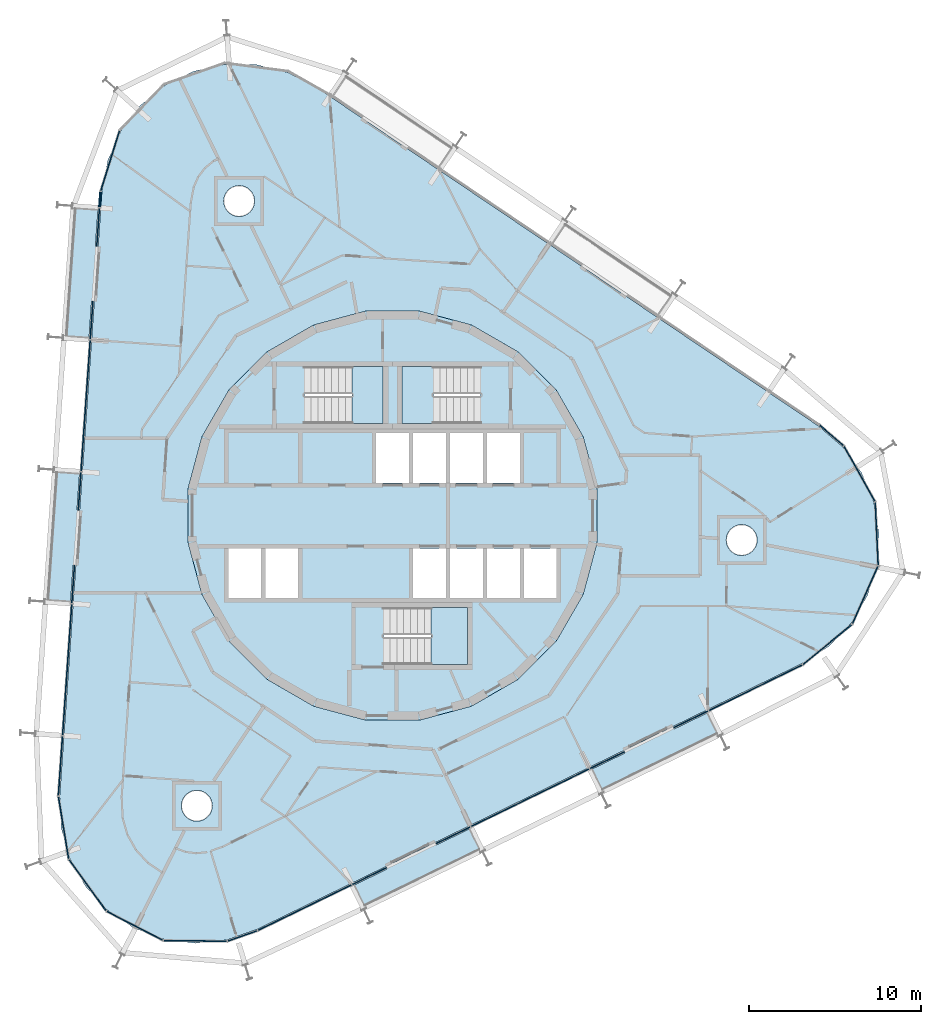
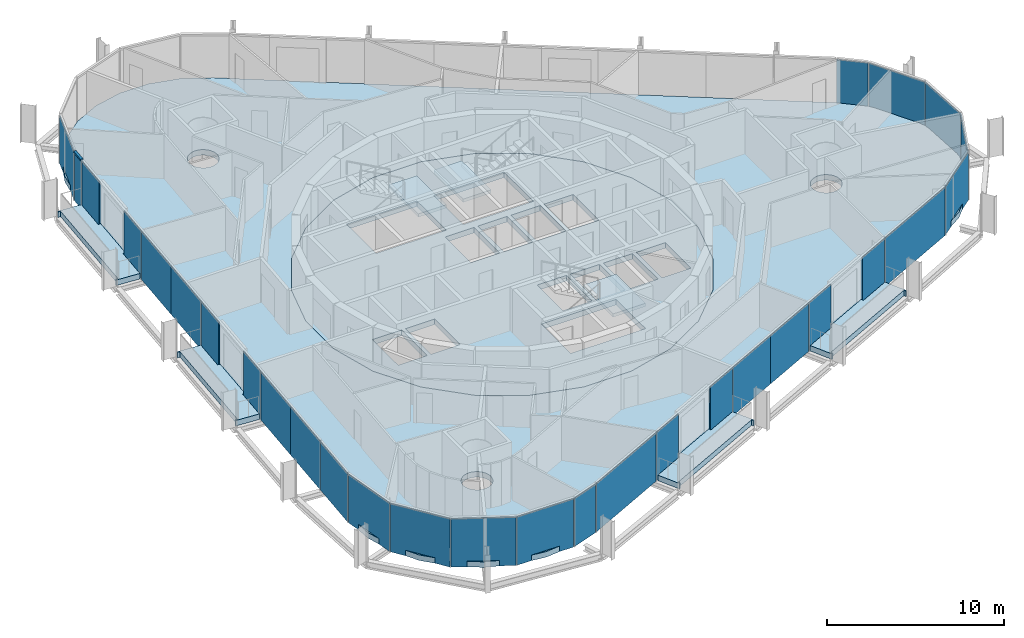
# One storey, part 10 of 17: 29 plates, 9 slabs, 1 member, 8 elements without a shape of their own.
"""IFC4 building model written with IfcOpenShell, lengths in metres."""

from ifc_helpers import new_model, si_unit, direction, frame, origin, origin_2d, place, context, subcontext, project, spatial, polyline, rectangle, outline, extrude, material, layer, layer_set, material_profile, profile_set, type_object, element, aggregate, save


model = new_model("IFC4")

# Units and contexts
model_context = context("Model", 3, precision=1e-05, world=origin(), true_north=direction((0.0, 1.0)))
body_context = subcontext(model_context, "Body", "Model", "MODEL_VIEW")
ifc_project = project(units=[si_unit("LENGTHUNIT", "METRE"), si_unit("AREAUNIT", "SQUARE_METRE"), si_unit("VOLUMEUNIT", "CUBIC_METRE"), si_unit("PLANEANGLEUNIT", "RADIAN"), si_unit("MASSUNIT", "GRAM", prefix="KILO")], contexts=[model_context])

# Site, building, storey
site_placement = place(None, origin())
site = spatial("IfcSite", under=ifc_project, at=site_placement, CompositionType="ELEMENT")
building_placement = place(site_placement, origin())
building = spatial("IfcBuilding", under=site, at=building_placement, Name="Spindle Arch Residences", CompositionType="ELEMENT")
storey_placement = place(building_placement, frame((0.0, 0.0, 216.39990234375)))
storey = spatial("IfcBuildingStorey", under=building, at=storey_placement, Name="L55", CompositionType="ELEMENT", Elevation=216.39990234375)

# Curtain wall, member
ifc_material_1 = material(Name="Aluminium bronze unitised frame with tinted glass", Category="aluminium")
ifc_layer_1 = layer(ifc_material_1, 0.159912109375)
ifc_layer_set_1 = layer_set([ifc_layer_1], Name="CW-D corner wall on the fillet arcs")
curtain_wall_type_1 = type_object("IfcCurtainWallType", Name="CW-D corner wall on the fillet arcs", PredefinedType="NOTDEFINED", material=ifc_layer_set_1)
curtain_wall_1_placement = place(storey_placement, origin())
curtain_wall_1 = element("IfcCurtainWall", 1, at=curtain_wall_1_placement, inside=storey, type_object=curtain_wall_type_1, Name="CW-D L55 run 3", PredefinedType="NOTDEFINED")
ifc_material_2 = material(Name="Aluminium bronze anodised transom", Category="aluminium")
ifc_material_profile = material_profile(ifc_material_2, rectangle(XDim=0.159912109375, YDim=0.1201171875, at=origin_2d()), Name="TR 120x160")
ifc_profile_set = profile_set([ifc_material_profile], Name="Aluminium bronze anodised transom")
member_type = type_object("IfcMemberType", Name="Bronze transom 120x160", PredefinedType="USERDEFINED", material=ifc_profile_set)
member_placement = place(storey_placement, frame((-16.98828125, 18.83447265625, 2.989990234375), z_axis=(-0.069692035463, -0.997568554132, 0.0), x_axis=(0.997568554132, -0.069692035463, 0.0)))
member = element("IfcMember", 2, at=member_placement, type_object=member_type, Name="CW-D transom 05", ObjectType="TRANSOM", PredefinedType="USERDEFINED", context=body_context, shape_type="SweptSolid", body=[
    extrude(rectangle(XDim=0.159912109375, YDim=0.1201171875, at=origin_2d()), origin(), (0.0, 0.0, 1.0), 0.90380859375),
])

# Slabs
ifc_material_3 = material(Name="Concrete C40/50", Category="concrete")
ifc_layer_2 = layer(ifc_material_3, 0.3798828125)
ifc_layer_set_2 = layer_set([ifc_layer_2], Name="Balcony slab 380")
slab_type_1 = type_object("IfcSlabType", Name="Balcony slab 380", PredefinedType="FLOOR", material=ifc_layer_set_2)
slab_1_placement = place(storey_placement, frame((0.0, 0.0, -0.3798828125)))
element("IfcSlab", 3, at=slab_1_placement, inside=storey, type_object=slab_type_1, Name="Balcony L55 bay 1", PredefinedType="FLOOR", context=body_context, shape_type="SweptSolid", body=[
    extrude(outline(polyline([(12.21826171875, -16.1044921875), (12.28564453125, -16.07177734375), (12.2197265625, -15.936767578125), (18.865234375, -12.695556640625), (18.930908203125, -12.83056640625), (18.99853515625, -12.797607421875), (18.34521484375, -11.45849609375), (16.393310546875, -12.410400390625), (16.322998046875, -12.2666015625), (13.447021484375, -13.66943359375), (13.51708984375, -13.813232421875), (11.56494140625, -14.765380859375), (12.21826171875, -16.1044921875)])), origin(), (0.0, 0.0, 1.0), 0.3798828125),
])
slab_2_placement = place(storey_placement, frame((0.0, 0.0, -0.3798828125)))
element("IfcSlab", 4, at=slab_2_placement, inside=storey, type_object=slab_type_1, Name="Balcony L55 bay 13", PredefinedType="FLOOR", context=body_context, shape_type="SweptSolid", body=[
    extrude(outline(polyline([(-18.624755859375, 17.9375), (-18.630126953125, 17.86279296875), (-18.48046875, 17.852294921875), (-18.996337890625, 10.4765625), (-19.145751953125, 10.487060546875), (-19.151123046875, 10.412353515625), (-17.664794921875, 10.308349609375), (-17.51318359375, 12.474853515625), (-17.353515625, 12.4638671875), (-17.13037109375, 15.656005859375), (-17.2900390625, 15.6669921875), (-17.138427734375, 17.833740234375), (-18.624755859375, 17.9375)])), origin(), (0.0, 0.0, 1.0), 0.3798828125),
])
slab_3_placement = place(storey_placement, frame((0.0, 0.0, -0.3798828125)))
element("IfcSlab", 5, at=slab_3_placement, inside=storey, type_object=slab_type_1, Name="Balcony L55 bay 15", PredefinedType="FLOOR", context=body_context, shape_type="SweptSolid", body=[
    extrude(outline(polyline([(-19.6982421875, 2.587646484375), (-19.703369140625, 2.512939453125), (-19.553955078125, 2.50244140625), (-20.069580078125, -4.873291015625), (-20.21923828125, -4.86279296875), (-20.224365234375, -4.937744140625), (-18.738037109375, -5.04150390625), (-18.586669921875, -2.875), (-18.427001953125, -2.88623046875), (-18.203857421875, 0.305908203125), (-18.36328125, 0.317138671875), (-18.2119140625, 2.483642578125), (-19.6982421875, 2.587646484375)])), origin(), (0.0, 0.0, 1.0), 0.3798828125),
])
slab_4_placement = place(storey_placement, frame((0.0, 0.0, -0.3798828125)))
element("IfcSlab", 6, at=slab_4_placement, inside=storey, type_object=slab_type_1, Name="Balcony L55 bay 21", PredefinedType="FLOOR", context=body_context, shape_type="SweptSolid", body=[
    extrude(outline(polyline([(-1.612060546875, -22.849853515625), (-1.54443359375, -22.817138671875), (-1.6103515625, -22.68212890625), (5.03515625, -19.441162109375), (5.100830078125, -19.575927734375), (5.168212890625, -19.54296875), (4.51513671875, -18.203857421875), (2.56298828125, -19.15576171875), (2.492919921875, -19.011962890625), (-0.38330078125, -20.414794921875), (-0.31298828125, -20.55859375), (-2.26513671875, -21.5107421875), (-1.612060546875, -22.849853515625)])), origin(), (0.0, 0.0, 1.0), 0.3798828125),
])
ifc_material_4 = material(Name="Concrete C50/60", Category="concrete")
ifc_layer_3 = layer(ifc_material_4, 0.3798828125)
ifc_layer_set_3 = layer_set([ifc_layer_3], Name="Core floor slab 380")
slab_type_2 = type_object("IfcSlabType", Name="Core floor slab 380", PredefinedType="FLOOR", material=ifc_layer_set_3)
slab_5_placement = place(storey_placement, frame((0.0, 0.0, -0.3798828125)))
element("IfcSlab", 7, at=slab_5_placement, inside=storey, type_object=slab_type_2, Name="Core floor L55", PredefinedType="FLOOR", context=body_context, shape_type="SweptSolid", body=[
    extrude(outline(polyline([(1.56640625, -11.897216796875), (4.59228515625, -11.086669921875), (7.30517578125, -9.520263671875), (9.520263671875, -7.30517578125), (11.086669921875, -4.59228515625), (11.897216796875, -1.56640625), (11.897216796875, 1.56640625), (11.086669921875, 4.59228515625), (9.520263671875, 7.30517578125), (7.30517578125, 9.520263671875), (4.59228515625, 11.086669921875), (1.56640625, 11.897216796875), (-1.56640625, 11.897216796875), (-4.59228515625, 11.086669921875), (-7.30517578125, 9.520263671875), (-9.520263671875, 7.30517578125), (-11.086669921875, 4.59228515625), (-11.897216796875, 1.56640625), (-11.897216796875, -1.56640625), (-11.086669921875, -4.59228515625), (-9.520263671875, -7.30517578125), (-7.30517578125, -9.520263671875), (-4.59228515625, -11.086669921875), (-1.56640625, -11.897216796875), (1.56640625, -11.897216796875)]), holes=[polyline([(-0.949951171875, 1.89990234375), (0.949951171875, 1.89990234375), (0.949951171875, 4.800048828125), (-0.949951171875, 4.800048828125), (-0.949951171875, 1.89990234375)]), polyline([(1.199951171875, 1.89990234375), (3.10009765625, 1.89990234375), (3.10009765625, 4.800048828125), (1.199951171875, 4.800048828125), (1.199951171875, 1.89990234375)]), polyline([(3.35009765625, 1.89990234375), (5.25, 1.89990234375), (5.25, 4.800048828125), (3.35009765625, 4.800048828125), (3.35009765625, 1.89990234375)]), polyline([(5.5, 1.89990234375), (7.39990234375, 1.89990234375), (7.39990234375, 4.800048828125), (5.5, 4.800048828125), (5.5, 1.89990234375)]), polyline([(-9.550048828125, -4.800048828125), (-7.64990234375, -4.800048828125), (-7.64990234375, -1.89990234375), (-9.550048828125, -1.89990234375), (-9.550048828125, -4.800048828125)]), polyline([(-7.39990234375, -4.800048828125), (-5.5, -4.800048828125), (-5.5, -1.89990234375), (-7.39990234375, -1.89990234375), (-7.39990234375, -4.800048828125)]), polyline([(1.199951171875, -4.800048828125), (3.10009765625, -4.800048828125), (3.10009765625, -1.89990234375), (1.199951171875, -1.89990234375), (1.199951171875, -4.800048828125)]), polyline([(3.35009765625, -4.800048828125), (5.25, -4.800048828125), (5.25, -1.89990234375), (3.35009765625, -1.89990234375), (3.35009765625, -4.800048828125)]), polyline([(5.5, -4.800048828125), (7.39990234375, -4.800048828125), (7.39990234375, -1.89990234375), (5.5, -1.89990234375), (5.5, -4.800048828125)]), polyline([(7.64990234375, -4.800048828125), (9.550048828125, -4.800048828125), (9.550048828125, -1.89990234375), (7.64990234375, -1.89990234375), (7.64990234375, -4.800048828125)]), polyline([(5.1298828125, 8.669921875), (0.550048828125, 8.669921875), (0.550048828125, 5.35009765625), (5.1298828125, 5.35009765625), (5.1298828125, 8.669921875)]), polyline([(-5.1298828125, 5.35009765625), (-0.550048828125, 5.35009765625), (-0.550048828125, 8.669921875), (-5.1298828125, 8.669921875), (-5.1298828125, 5.35009765625)]), polyline([(-0.530029296875, -8.669921875), (4.35009765625, -8.669921875), (4.35009765625, -5.35009765625), (-0.530029296875, -5.35009765625), (-0.530029296875, -8.669921875)])]), origin(), (0.0, 0.0, 1.0), 0.3798828125),
])

# Stair, slab
ifc_material_5 = material(Name="Concrete C50/60", Category="concrete")
stair_type = type_object("IfcStairType", Name="Exit stair 16 risers", PredefinedType="HALF_TURN_STAIR", material=ifc_material_5)
stair_1_placement = place(storey_placement, origin())
stair_1 = element("IfcStair", 8, at=stair_1_placement, inside=storey, type_object=stair_type, Name="L55 Exit stair ST1", PredefinedType="HALF_TURN_STAIR")
ifc_material_6 = material(Name="Concrete C50/60", Category="concrete")
ifc_layer_4 = layer(ifc_material_6, 0.219970703125)
ifc_layer_set_4 = layer_set([ifc_layer_4], Name="Exit stair landing 220")
slab_type_3 = type_object("IfcSlabType", Name="Exit stair landing 220", PredefinedType="LANDING", material=ifc_layer_set_4)
slab_6_placement = place(storey_placement, frame((0.0, 0.0, 1.530029296875)))
slab_6 = element("IfcSlab", 9, at=slab_6_placement, type_object=slab_type_3, Name="ST1 landing 1", PredefinedType="LANDING", context=body_context, shape_type="SweptSolid", body=[
    extrude(outline(polyline([(2.3701171875, 8.669921875), (0.550048828125, 8.669921875), (0.550048828125, 5.35009765625), (2.3701171875, 5.35009765625), (2.3701171875, 8.669921875)])), origin(), (0.0, 0.0, 1.0), 0.219970703125),
])
aggregate(stair_1, [slab_6])

stair_2_placement = place(storey_placement, origin())
stair_2 = element("IfcStair", 10, at=stair_2_placement, inside=storey, type_object=stair_type, Name="L55 Exit stair ST2", PredefinedType="HALF_TURN_STAIR")
slab_7_placement = place(storey_placement, frame((0.0, 0.0, 1.530029296875)))
slab_7 = element("IfcSlab", 11, at=slab_7_placement, type_object=slab_type_3, Name="ST2 landing 1", PredefinedType="LANDING", context=body_context, shape_type="SweptSolid", body=[
    extrude(outline(polyline([(-2.3701171875, 5.35009765625), (-0.550048828125, 5.35009765625), (-0.550048828125, 8.669921875), (-2.3701171875, 8.669921875), (-2.3701171875, 5.35009765625)])), origin(), (0.0, 0.0, 1.0), 0.219970703125),
])
aggregate(stair_2, [slab_7])

stair_3_placement = place(storey_placement, origin())
stair_3 = element("IfcStair", 12, at=stair_3_placement, inside=storey, type_object=stair_type, Name="L55 Exit stair ST3", PredefinedType="HALF_TURN_STAIR")
slab_8_placement = place(storey_placement, frame((0.0, 0.0, 1.530029296875)))
slab_8 = element("IfcSlab", 13, at=slab_8_placement, type_object=slab_type_3, Name="ST3 landing 1", PredefinedType="LANDING", context=body_context, shape_type="SweptSolid", body=[
    extrude(outline(polyline([(2.22998046875, -8.669921875), (4.35009765625, -8.669921875), (4.35009765625, -5.35009765625), (2.22998046875, -5.35009765625), (2.22998046875, -8.669921875)])), origin(), (0.0, 0.0, 1.0), 0.219970703125),
])
aggregate(stair_3, [slab_8])

# Slab
ifc_material_7 = material(Name="Concrete C40/50", Category="concrete")
ifc_layer_5 = layer(ifc_material_7, 0.3798828125)
ifc_layer_set_5 = layer_set([ifc_layer_5], Name="Floor slab 380")
slab_type_4 = type_object("IfcSlabType", Name="Floor slab 380", PredefinedType="FLOOR", material=ifc_layer_set_5)
slab_9_placement = place(storey_placement, frame((0.0, 0.0, -0.3798828125)))
element("IfcSlab", 14, at=slab_9_placement, inside=storey, type_object=slab_type_4, Name="Floor slab L55", PredefinedType="FLOOR", context=body_context, shape_type="SweptSolid", body=[
    extrude(outline(polyline([(-9.6318359375, -24.685791015625), (-11.47900390625, -24.8798828125), (-13.3212890625, -24.642822265625), (-15.059326171875, -23.9873046875), (-16.599365234375, -22.948486328125), (-17.858154296875, -21.582763671875), (-18.76806640625, -19.96337890625), (-19.280029296875, -18.177978515625), (-19.366455078125, -16.322509765625), (-16.906494140625, 18.85888671875), (-16.5625, 20.684326171875), (-15.80712890625, 22.381103515625), (-14.6806640625, 23.858154296875), (-13.243896484375, 25.035400390625), (-11.574462890625, 25.849609375), (-9.76220703125, 26.257080078125), (-7.90478515625, 26.2353515625), (-6.1025390625, 25.785888671875), (-4.452392578125, 24.93310546875), (24.785400390625, 5.2119140625), (26.1943359375, 4.00146484375), (27.2861328125, 2.498779296875), (28.001953125, 0.784912109375), (28.30322265625, -1.048095703125), (28.173583984375, -2.901123046875), (27.620361328125, -4.67431640625), (26.6728515625, -6.27197265625), (25.382568359375, -7.608154296875), (23.81884765625, -8.610595703125), (7.969970703125, -16.3408203125), (-7.87890625, -24.07080078125), (-9.6318359375, -24.685791015625)]), holes=[polyline([(7.30517578125, -9.520263671875), (9.520263671875, -7.30517578125), (11.086669921875, -4.59228515625), (11.897216796875, -1.56640625), (11.897216796875, 1.56640625), (11.086669921875, 4.59228515625), (9.520263671875, 7.30517578125), (7.30517578125, 9.520263671875), (4.59228515625, 11.086669921875), (1.56640625, 11.897216796875), (-1.56640625, 11.897216796875), (-4.59228515625, 11.086669921875), (-7.30517578125, 9.520263671875), (-9.520263671875, 7.30517578125), (-11.086669921875, 4.59228515625), (-11.897216796875, 1.56640625), (-11.897216796875, -1.56640625), (-11.086669921875, -4.59228515625), (-9.520263671875, -7.30517578125), (-7.30517578125, -9.520263671875), (-4.59228515625, -11.086669921875), (-1.56640625, -11.897216796875), (1.56640625, -11.897216796875), (4.59228515625, -11.086669921875), (7.30517578125, -9.520263671875)]), polyline([(-10.6376953125, -17.380615234375), (-10.554443359375, -17.224853515625), (-10.50341796875, -17.05615234375), (-10.486083984375, -16.880615234375), (-10.50341796875, -16.704833984375), (-10.554443359375, -16.5361328125), (-10.6376953125, -16.380615234375), (-10.74951171875, -16.244140625), (-10.885986328125, -16.132080078125), (-11.04150390625, -16.049072265625), (-11.21044921875, -15.997802734375), (-11.385986328125, -15.98046875), (-11.5615234375, -15.997802734375), (-11.73046875, -16.049072265625), (-11.885986328125, -16.132080078125), (-12.0224609375, -16.244140625), (-12.13427734375, -16.380615234375), (-12.217529296875, -16.5361328125), (-12.268798828125, -16.704833984375), (-12.285888671875, -16.880615234375), (-12.268798828125, -17.05615234375), (-12.217529296875, -17.224853515625), (-12.13427734375, -17.380615234375), (-12.0224609375, -17.516845703125), (-11.885986328125, -17.62890625), (-11.73046875, -17.7119140625), (-11.5615234375, -17.76318359375), (-11.385986328125, -17.780517578125), (-11.21044921875, -17.76318359375), (-11.04150390625, -17.7119140625), (-10.885986328125, -17.62890625), (-10.74951171875, -17.516845703125), (-10.6376953125, -17.380615234375)]), polyline([(-8.177490234375, 17.80078125), (-8.094482421875, 17.956298828125), (-8.043212890625, 18.125244140625), (-8.02587890625, 18.30078125), (-8.043212890625, 18.476318359375), (-8.094482421875, 18.645263671875), (-8.177490234375, 18.80078125), (-8.28955078125, 18.937255859375), (-8.42578125, 19.049072265625), (-8.58154296875, 19.13232421875), (-8.750244140625, 19.18359375), (-8.92578125, 19.20068359375), (-9.1015625, 19.18359375), (-9.270263671875, 19.13232421875), (-9.42578125, 19.049072265625), (-9.562255859375, 18.937255859375), (-9.67431640625, 18.80078125), (-9.75732421875, 18.645263671875), (-9.80859375, 18.476318359375), (-9.825927734375, 18.30078125), (-9.80859375, 18.125244140625), (-9.75732421875, 17.956298828125), (-9.67431640625, 17.80078125), (-9.562255859375, 17.664306640625), (-9.42578125, 17.552490234375), (-9.270263671875, 17.46923828125), (-9.1015625, 17.418212890625), (-8.92578125, 17.40087890625), (-8.750244140625, 17.418212890625), (-8.58154296875, 17.46923828125), (-8.42578125, 17.552490234375), (-8.28955078125, 17.664306640625), (-8.177490234375, 17.80078125)]), polyline([(20.9482421875, -2.056640625), (21.060302734375, -1.92041015625), (21.143310546875, -1.7646484375), (21.194580078125, -1.595947265625), (21.2119140625, -1.42041015625), (21.194580078125, -1.24462890625), (21.143310546875, -1.075927734375), (21.060302734375, -0.92041015625), (20.9482421875, -0.783935546875), (20.81201171875, -0.672119140625), (20.65625, -0.5888671875), (20.487548828125, -0.53759765625), (20.31201171875, -0.520263671875), (20.13623046875, -0.53759765625), (19.967529296875, -0.5888671875), (19.81201171875, -0.672119140625), (19.675537109375, -0.783935546875), (19.563720703125, -0.92041015625), (19.48046875, -1.075927734375), (19.42919921875, -1.24462890625), (19.411865234375, -1.42041015625), (19.42919921875, -1.595947265625), (19.48046875, -1.7646484375), (19.563720703125, -1.92041015625), (19.675537109375, -2.056640625), (19.81201171875, -2.168701171875), (19.967529296875, -2.251708984375), (20.13623046875, -2.302978515625), (20.31201171875, -2.3203125), (20.487548828125, -2.302978515625), (20.65625, -2.251708984375), (20.81201171875, -2.168701171875), (20.9482421875, -2.056640625)])]), origin(), (0.0, 0.0, 1.0), 0.3798828125),
])

# Curtain wall, plates
curtain_wall_2_placement = place(storey_placement, origin())
curtain_wall_2 = element("IfcCurtainWall", 15, at=curtain_wall_2_placement, inside=storey, type_object=curtain_wall_type_1, Name="CW-D L55 run 1", PredefinedType="NOTDEFINED")
ifc_material_8 = material(Name="Tinted double glazing over aluminium faced non-combustible spandrel zone (K0)", Category="aluminium")
ifc_layer_6 = layer(ifc_material_8, 0.06005859375)
ifc_layer_set_6 = layer_set([ifc_layer_6], Name="Unitised glass panel with E 60 spandrel zone")
plate_type = type_object("IfcPlateType", Name="Unitised glass panel with E 60 spandrel zone", PredefinedType="CURTAIN_PANEL", material=ifc_layer_set_6)
plate_1_placement = place(storey_placement, frame((21.11572265625, -10.01806640625, -0.3798828125), z_axis=(0.0, 0.0, 1.0), x_axis=(0.898794046299, 0.438371146789, 0.0)))
plate_1 = element("IfcPlate", 16, at=plate_1_placement, type_object=plate_type, Name="CW-D unit 00", PredefinedType="CURTAIN_PANEL", context=body_context, shape_type="SweptSolid", body=[
    extrude(rectangle(XDim=6.032958984375, YDim=0.06005859375, at=origin_2d()), origin(), (0.0, 0.0, 1.0), 3.31005859375),
])
plate_2_placement = place(storey_placement, frame((25.295166015625, -7.50146484375, -0.3798828125), z_axis=(0.0, 0.0, 1.0), x_axis=(0.773471595747, 0.633830963722, 0.0)))
plate_2 = element("IfcPlate", 17, at=plate_2_placement, type_object=plate_type, Name="CW-D unit 01", PredefinedType="CURTAIN_PANEL", context=body_context, shape_type="SweptSolid", body=[
    extrude(rectangle(XDim=3.666748046875, YDim=0.06005859375, at=origin_2d()), origin(), (0.0, 0.0, 1.0), 3.31005859375),
])
plate_3_placement = place(storey_placement, frame((27.494384765625, -4.6181640625, -0.3798828125), z_axis=(0.0, 0.0, 1.0), x_axis=(0.406736642422, 0.913545457934, 0.0)))
plate_3 = element("IfcPlate", 18, at=plate_3_placement, type_object=plate_type, Name="CW-D unit 02", PredefinedType="CURTAIN_PANEL", context=body_context, shape_type="SweptSolid", body=[
    extrude(rectangle(XDim=3.666748046875, YDim=0.06005859375, at=origin_2d()), origin(), (0.0, 0.0, 1.0), 3.31005859375),
])
plate_4_placement = place(storey_placement, frame((28.16552734375, -1.054443359375, -0.3798828125), z_axis=(0.0, 0.0, 1.0), x_axis=(-0.046525313877, 0.99891711126, 0.0)))
plate_4 = element("IfcPlate", 19, at=plate_4_placement, type_object=plate_type, Name="CW-D unit 03", PredefinedType="CURTAIN_PANEL", context=body_context, shape_type="SweptSolid", body=[
    extrude(rectangle(XDim=3.666748046875, YDim=0.06005859375, at=origin_2d()), origin(), (0.0, 0.0, 1.0), 3.31005859375),
])
plate_5_placement = place(storey_placement, frame((27.166015625, 2.43115234375, -0.3798828125), z_axis=(0.0, 0.0, 1.0), x_axis=(-0.489889716377, 0.871784414743, 0.0)))
plate_5 = element("IfcPlate", 20, at=plate_5_placement, type_object=plate_type, Name="CW-D unit 04", PredefinedType="CURTAIN_PANEL", context=body_context, shape_type="SweptSolid", body=[
    extrude(rectangle(XDim=3.666748046875, YDim=0.06005859375, at=origin_2d()), origin(), (0.0, 0.0, 1.0), 3.31005859375),
])
plate_6_placement = place(storey_placement, frame((25.541748046875, 4.6669921875, -0.3798828125), z_axis=(0.0, 0.0, 1.0), x_axis=(-0.758513582867, 0.651657229382, 0.0)))
plate_6 = element("IfcPlate", 21, at=plate_6_placement, type_object=plate_type, Name="CW-D unit 05", PredefinedType="CURTAIN_PANEL", context=body_context, shape_type="SweptSolid", body=[
    extrude(rectangle(XDim=1.816162109375, YDim=0.06005859375, at=origin_2d()), origin(), (0.0, 0.0, 1.0), 3.31005859375),
])
aggregate(curtain_wall_2, [plate_1, plate_2, plate_3, plate_4, plate_5, plate_6])

# Plate
plate_7_placement = place(storey_placement, frame((-16.43115234375, 20.643310546875, -0.3798828125), z_axis=(0.0, 0.0, 1.0), x_axis=(-0.297930275218, -0.954587634064, 0.0)))
plate_7 = element("IfcPlate", 22, at=plate_7_placement, type_object=plate_type, Name="CW-D unit 04", PredefinedType="CURTAIN_PANEL", context=body_context, shape_type="SweptSolid", body=[
    extrude(rectangle(XDim=3.666748046875, YDim=0.06005859375, at=origin_2d()), origin(), (0.0, 0.0, 1.0), 3.31005859375),
])

plate_8_placement = place(storey_placement, frame((-17.019775390625, 18.3837890625, -0.3798828125), z_axis=(0.0, 0.0, 1.0), x_axis=(-0.069756473744, -0.99756405026, 0.0)))
plate_8 = element("IfcPlate", 23, at=plate_8_placement, type_object=plate_type, Name="CW-D unit 05", PredefinedType="CURTAIN_PANEL", context=body_context, shape_type="SweptSolid", body=[
    extrude(rectangle(XDim=0.90380859375, YDim=0.06005859375, at=origin_2d()), origin(), (0.0, 0.0, 1.0), 3.31005859375),
])

aggregate(curtain_wall_1, [plate_7, member, plate_8])

# Curtain wall, plates
ifc_material_9 = material(Name="Aluminium bronze unitised frame with tinted glass", Category="aluminium")
ifc_layer_7 = layer(ifc_material_9, 0.159912109375)
ifc_layer_set_7 = layer_set([ifc_layer_7], Name="CW-C typical residential unitised wall")
curtain_wall_type_2 = type_object("IfcCurtainWallType", Name="CW-C typical residential unitised wall", PredefinedType="NOTDEFINED", material=ifc_layer_set_7)
curtain_wall_3_placement = place(storey_placement, origin())
curtain_wall_3 = element("IfcCurtainWall", 24, at=curtain_wall_3_placement, inside=storey, type_object=curtain_wall_type_2, Name="CW-C L55 run 4", PredefinedType="NOTDEFINED")
plate_9_placement = place(storey_placement, frame((-17.1328125, 16.767333984375, -0.3798828125), z_axis=(0.0, 0.0, 1.0), x_axis=(-0.069756473744, -0.99756405026, 0.0)))
plate_9 = element("IfcPlate", 25, at=plate_9_placement, type_object=plate_type, Name="CW-C unit 12L", PredefinedType="CURTAIN_PANEL", context=body_context, shape_type="SweptSolid", body=[
    extrude(rectangle(XDim=2.216796875, YDim=0.06005859375, at=origin_2d()), origin(), (0.0, 0.0, 1.0), 3.31005859375),
])
plate_10_placement = place(storey_placement, frame((-17.5107421875, 11.363525390625, -0.3798828125), z_axis=(0.0, 0.0, 1.0), x_axis=(-0.069756473744, -0.99756405026, 0.0)))
plate_10 = element("IfcPlate", 26, at=plate_10_placement, type_object=plate_type, Name="CW-C unit 12R", PredefinedType="CURTAIN_PANEL", context=body_context, shape_type="SweptSolid", body=[
    extrude(rectangle(XDim=2.216796875, YDim=0.06005859375, at=origin_2d()), origin(), (0.0, 0.0, 1.0), 3.31005859375),
])
plate_11_placement = place(storey_placement, frame((-17.725341796875, 8.294189453125, -0.3798828125), z_axis=(0.0, 0.0, 1.0), x_axis=(-0.069756473744, -0.99756405026, 0.0)))
plate_11 = element("IfcPlate", 27, at=plate_11_placement, type_object=plate_type, Name="CW-C unit 13A", PredefinedType="CURTAIN_PANEL", context=body_context, shape_type="SweptSolid", body=[
    extrude(rectangle(XDim=3.81689453125, YDim=0.06005859375, at=origin_2d()), origin(), (0.0, 0.0, 1.0), 3.31005859375),
])
plate_12_placement = place(storey_placement, frame((-17.99169921875, 4.486572265625, -0.3798828125), z_axis=(0.0, 0.0, 1.0), x_axis=(-0.069756473744, -0.99756405026, 0.0)))
plate_12 = element("IfcPlate", 28, at=plate_12_placement, type_object=plate_type, Name="CW-C unit 13B", PredefinedType="CURTAIN_PANEL", context=body_context, shape_type="SweptSolid", body=[
    extrude(rectangle(XDim=3.81689453125, YDim=0.06005859375, at=origin_2d()), origin(), (0.0, 0.0, 1.0), 3.31005859375),
])
plate_13_placement = place(storey_placement, frame((-18.206298828125, 1.417236328125, -0.3798828125), z_axis=(0.0, 0.0, 1.0), x_axis=(-0.069756473744, -0.99756405026, 0.0)))
plate_13 = element("IfcPlate", 29, at=plate_13_placement, type_object=plate_type, Name="CW-C unit 14L", PredefinedType="CURTAIN_PANEL", context=body_context, shape_type="SweptSolid", body=[
    extrude(rectangle(XDim=2.216796875, YDim=0.06005859375, at=origin_2d()), origin(), (0.0, 0.0, 1.0), 3.31005859375),
])
plate_14_placement = place(storey_placement, frame((-18.583984375, -3.986328125, -0.3798828125), z_axis=(0.0, 0.0, 1.0), x_axis=(-0.069756473744, -0.99756405026, 0.0)))
plate_14 = element("IfcPlate", 30, at=plate_14_placement, type_object=plate_type, Name="CW-C unit 14R", PredefinedType="CURTAIN_PANEL", context=body_context, shape_type="SweptSolid", body=[
    extrude(rectangle(XDim=2.216796875, YDim=0.06005859375, at=origin_2d()), origin(), (0.0, 0.0, 1.0), 3.31005859375),
])
plate_15_placement = place(storey_placement, frame((-18.798828125, -7.0556640625, -0.3798828125), z_axis=(0.0, 0.0, 1.0), x_axis=(-0.069756473744, -0.99756405026, 0.0)))
plate_15 = element("IfcPlate", 31, at=plate_15_placement, type_object=plate_type, Name="CW-C unit 15A", PredefinedType="CURTAIN_PANEL", context=body_context, shape_type="SweptSolid", body=[
    extrude(rectangle(XDim=3.81689453125, YDim=0.06005859375, at=origin_2d()), origin(), (0.0, 0.0, 1.0), 3.31005859375),
])
plate_16_placement = place(storey_placement, frame((-19.06494140625, -10.86328125, -0.3798828125), z_axis=(0.0, 0.0, 1.0), x_axis=(-0.069756473744, -0.99756405026, 0.0)))
plate_16 = element("IfcPlate", 32, at=plate_16_placement, type_object=plate_type, Name="CW-C unit 15B", PredefinedType="CURTAIN_PANEL", context=body_context, shape_type="SweptSolid", body=[
    extrude(rectangle(XDim=3.81689453125, YDim=0.06005859375, at=origin_2d()), origin(), (0.0, 0.0, 1.0), 3.31005859375),
])
aggregate(curtain_wall_3, [plate_9, plate_10, plate_11, plate_12, plate_13, plate_14, plate_15, plate_16])

curtain_wall_4_placement = place(storey_placement, origin())
curtain_wall_4 = element("IfcCurtainWall", 33, at=curtain_wall_4_placement, inside=storey, type_object=curtain_wall_type_1, Name="CW-D L55 run 5", PredefinedType="NOTDEFINED")
plate_17_placement = place(storey_placement, frame((-19.3232421875, -14.556884765625, -0.3798828125), z_axis=(0.0, 0.0, 1.0), x_axis=(-0.069756473744, -0.99756405026, 0.0)))
plate_17 = element("IfcPlate", 34, at=plate_17_placement, type_object=plate_type, Name="CW-D unit 00", PredefinedType="CURTAIN_PANEL", context=body_context, shape_type="SweptSolid", body=[
    extrude(rectangle(XDim=3.468505859375, YDim=0.06005859375, at=origin_2d()), origin(), (0.0, 0.0, 1.0), 3.31005859375),
])
plate_18_placement = place(storey_placement, frame((-19.14404296875, -18.155517578125, -0.3798828125), z_axis=(0.0, 0.0, 1.0), x_axis=(0.162177925821, -0.986761531666, 0.0)))
plate_18 = element("IfcPlate", 35, at=plate_18_placement, type_object=plate_type, Name="CW-D unit 01", PredefinedType="CURTAIN_PANEL", context=body_context, shape_type="SweptSolid", body=[
    extrude(rectangle(XDim=3.666748046875, YDim=0.06005859375, at=origin_2d()), origin(), (0.0, 0.0, 1.0), 3.31005859375),
])
plate_19_placement = place(storey_placement, frame((-17.74658203125, -21.501708984375, -0.3798828125), z_axis=(0.0, 0.0, 1.0), x_axis=(0.587785254679, -0.809016992641, 0.0)))
plate_19 = element("IfcPlate", 36, at=plate_19_placement, type_object=plate_type, Name="CW-D unit 02", PredefinedType="CURTAIN_PANEL", context=body_context, shape_type="SweptSolid", body=[
    extrude(rectangle(XDim=3.666748046875, YDim=0.06005859375, at=origin_2d()), origin(), (0.0, 0.0, 1.0), 3.31005859375),
])
plate_20_placement = place(storey_placement, frame((-14.99609375, -23.86474609375, -0.3798828125), z_axis=(0.0, 0.0, 1.0), x_axis=(0.88835025098, -0.459166453025, 0.0)))
plate_20 = element("IfcPlate", 37, at=plate_20_placement, type_object=plate_type, Name="CW-D unit 03", PredefinedType="CURTAIN_PANEL", context=body_context, shape_type="SweptSolid", body=[
    extrude(rectangle(XDim=3.666748046875, YDim=0.06005859375, at=origin_2d()), origin(), (0.0, 0.0, 1.0), 3.31005859375),
])
plate_21_placement = place(storey_placement, frame((-11.4775390625, -24.7421875, -0.3798828125), z_axis=(0.0, 0.0, 1.0), x_axis=(0.999932308032, -0.011635263346, 0.0)))
plate_21 = element("IfcPlate", 38, at=plate_21_placement, type_object=plate_type, Name="CW-D unit 04", PredefinedType="CURTAIN_PANEL", context=body_context, shape_type="SweptSolid", body=[
    extrude(rectangle(XDim=3.666748046875, YDim=0.06005859375, at=origin_2d()), origin(), (0.0, 0.0, 1.0), 3.31005859375),
])
plate_22_placement = place(storey_placement, frame((-8.72900390625, -24.453369140625, -0.3798828125), z_axis=(0.0, 0.0, 1.0), x_axis=(0.943608504957, 0.33106342198, 0.0)))
plate_22 = element("IfcPlate", 39, at=plate_22_placement, type_object=plate_type, Name="CW-D unit 05", PredefinedType="CURTAIN_PANEL", context=body_context, shape_type="SweptSolid", body=[
    extrude(rectangle(XDim=1.816162109375, YDim=0.06005859375, at=origin_2d()), origin(), (0.0, 0.0, 1.0), 3.31005859375),
])
plate_23_placement = place(storey_placement, frame((-5.105712890625, -22.80712890625, -0.3798828125), z_axis=(0.0, 0.0, 1.0), x_axis=(0.898794046299, 0.438371146789, 0.0)))
plate_23 = element("IfcPlate", 40, at=plate_23_placement, type_object=plate_type, Name="CW-D unit 06", PredefinedType="CURTAIN_PANEL", context=body_context, shape_type="SweptSolid", body=[
    extrude(rectangle(XDim=6.032958984375, YDim=0.06005859375, at=origin_2d()), origin(), (0.0, 0.0, 1.0), 3.31005859375),
])
aggregate(curtain_wall_4, [plate_17, plate_18, plate_19, plate_20, plate_21, plate_22, plate_23])

curtain_wall_5_placement = place(storey_placement, origin())
curtain_wall_5 = element("IfcCurtainWall", 41, at=curtain_wall_5_placement, inside=storey, type_object=curtain_wall_type_2, Name="CW-C L55 run 6", PredefinedType="NOTDEFINED")
plate_24_placement = place(storey_placement, frame((-1.344482421875, -20.97265625, -0.3798828125), z_axis=(0.0, 0.0, 1.0), x_axis=(0.898794046299, 0.438371146789, 0.0)))
plate_24 = element("IfcPlate", 42, at=plate_24_placement, type_object=plate_type, Name="CW-C unit 20L", PredefinedType="CURTAIN_PANEL", context=body_context, shape_type="SweptSolid", body=[
    extrude(rectangle(XDim=2.216796875, YDim=0.06005859375, at=origin_2d()), origin(), (0.0, 0.0, 1.0), 3.31005859375),
])
plate_25_placement = place(storey_placement, frame((3.524169921875, -18.59814453125, -0.3798828125), z_axis=(0.0, 0.0, 1.0), x_axis=(0.898794046299, 0.438371146789, 0.0)))
plate_25 = element("IfcPlate", 43, at=plate_25_placement, type_object=plate_type, Name="CW-C unit 20R", PredefinedType="CURTAIN_PANEL", context=body_context, shape_type="SweptSolid", body=[
    extrude(rectangle(XDim=2.216796875, YDim=0.06005859375, at=origin_2d()), origin(), (0.0, 0.0, 1.0), 3.31005859375),
])
plate_26_placement = place(storey_placement, frame((6.289794921875, -17.249267578125, -0.3798828125), z_axis=(0.0, 0.0, 1.0), x_axis=(0.898794046299, 0.438371146789, 0.0)))
plate_26 = element("IfcPlate", 44, at=plate_26_placement, type_object=plate_type, Name="CW-C unit 21A", PredefinedType="CURTAIN_PANEL", context=body_context, shape_type="SweptSolid", body=[
    extrude(rectangle(XDim=3.81689453125, YDim=0.06005859375, at=origin_2d()), origin(), (0.0, 0.0, 1.0), 3.31005859375),
])
plate_27_placement = place(storey_placement, frame((9.72021484375, -15.576171875, -0.3798828125), z_axis=(0.0, 0.0, 1.0), x_axis=(0.898794046299, 0.438371146789, 0.0)))
plate_27 = element("IfcPlate", 45, at=plate_27_placement, type_object=plate_type, Name="CW-C unit 21B", PredefinedType="CURTAIN_PANEL", context=body_context, shape_type="SweptSolid", body=[
    extrude(rectangle(XDim=3.81689453125, YDim=0.06005859375, at=origin_2d()), origin(), (0.0, 0.0, 1.0), 3.31005859375),
])
plate_28_placement = place(storey_placement, frame((12.48583984375, -14.227294921875, -0.3798828125), z_axis=(0.0, 0.0, 1.0), x_axis=(0.898794046299, 0.438371146789, 0.0)))
plate_28 = element("IfcPlate", 46, at=plate_28_placement, type_object=plate_type, Name="CW-C unit 00L", PredefinedType="CURTAIN_PANEL", context=body_context, shape_type="SweptSolid", body=[
    extrude(rectangle(XDim=2.216796875, YDim=0.06005859375, at=origin_2d()), origin(), (0.0, 0.0, 1.0), 3.31005859375),
])
plate_29_placement = place(storey_placement, frame((17.3544921875, -11.852783203125, -0.3798828125), z_axis=(0.0, 0.0, 1.0), x_axis=(0.898794046299, 0.438371146789, 0.0)))
plate_29 = element("IfcPlate", 47, at=plate_29_placement, type_object=plate_type, Name="CW-C unit 00R", PredefinedType="CURTAIN_PANEL", context=body_context, shape_type="SweptSolid", body=[
    extrude(rectangle(XDim=2.216796875, YDim=0.06005859375, at=origin_2d()), origin(), (0.0, 0.0, 1.0), 3.31005859375),
])
aggregate(curtain_wall_5, [plate_24, plate_25, plate_26, plate_27, plate_28, plate_29])

save(model, "model.ifc")
